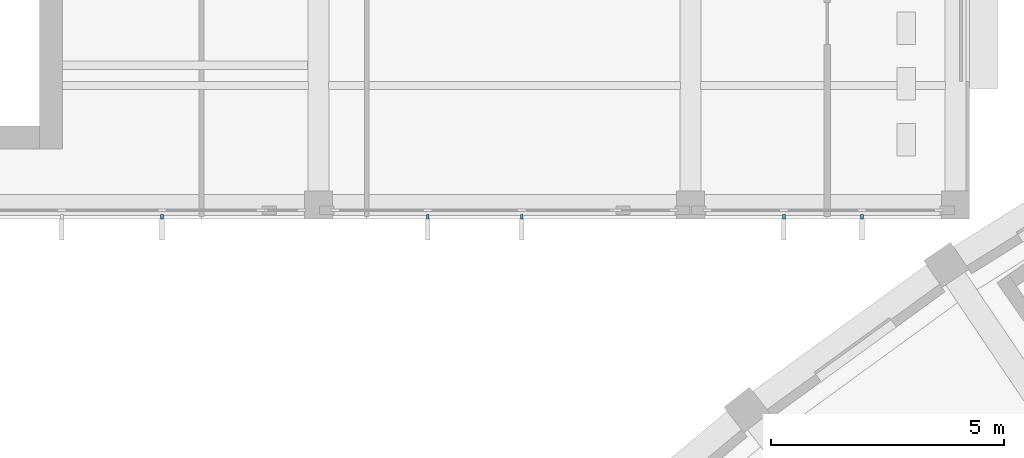
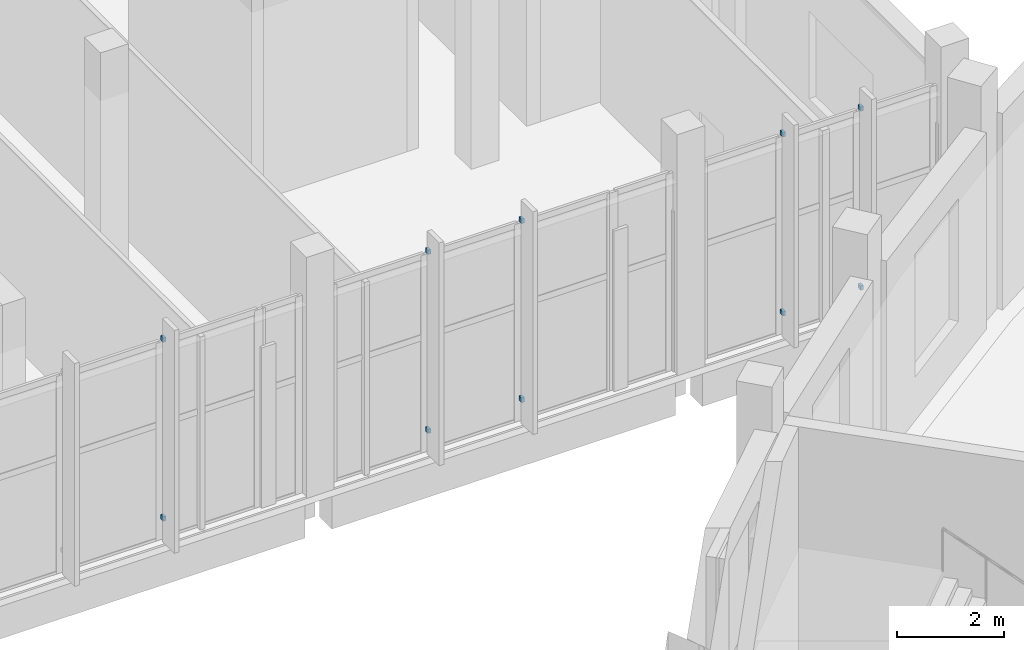
# One storey, part 71 of 112: 10 discrete accessories.
"""IFC4 building model written with IfcOpenShell, lengths in metres."""

import ifcopenshell
import ifcopenshell.guid

model = None  # the IFC model being written
_history = None  # IfcOwnerHistory: only IFC2X3 demands one
_inside = {}  # id of a spatial element -> (the spatial element, [elements in it])
_under = {}  # id of a project, library or spatial element -> (it, [spatial elements below it])
_declared = {}  # id of a project -> (the project, [libraries it declares])
_typed = {}  # id of a type object -> (the type object, [elements of that type])
_made_of = {}  # id of a material, layer set ... -> (it, [elements and type objects made of it])


def new_model(schema):
    """Start an empty IFC model of exactly this schema.

    Asked for "IFC4X3", IfcOpenShell would pick the latest addendum, in which some entities
    have other attributes; the version numbers below select the first issue.
    IFC2X3 requires an IfcOwnerHistory on every rooted entity: one is made here for all.
    """
    global model, _history
    if schema == "IFC4X3":
        model = ifcopenshell.file(schema_version=(4, 3, 0, 0))
    else:
        model = ifcopenshell.file(schema=schema)
    _inside.clear()
    _under.clear()
    _declared.clear()
    _typed.clear()
    _made_of.clear()
    _history = None
    if model.schema == "IFC2X3":
        org = make("IfcOrganization", Name="unknown")
        user = make(
            "IfcPersonAndOrganization",
            ThePerson=make("IfcPerson", FamilyName="unknown"),
            TheOrganization=org,
        )
        app = make(
            "IfcApplication",
            ApplicationDeveloper=org,
            Version="unknown",
            ApplicationFullName="unknown",
            ApplicationIdentifier="unknown",
        )
        _history = make(
            "IfcOwnerHistory",
            OwningUser=user,
            OwningApplication=app,
            ChangeAction="ADDED",
            CreationDate=0,
        )
    return model


def make(cls, **values):
    """One entity of the class cls with the attributes given. An attribute that is None is left unset."""
    return model.create_entity(
        cls, **{name: value for name, value in values.items() if value is not None}
    )


def rooted(cls, **values):
    """An entity with a GlobalId (a new one), such as an element, a storey or a relation."""
    return make(cls, GlobalId=ifcopenshell.guid.new(), OwnerHistory=_history, **values)


def si_unit(unit_type, name, prefix=None):
    """IfcSIUnit, for example si_unit("LENGTHUNIT", "METRE", prefix="MILLI")."""
    return make("IfcSIUnit", UnitType=unit_type, Prefix=prefix, Name=name)


def assignment(units):
    """IfcUnitAssignment: the units of a project."""
    return None if units is None else make("IfcUnitAssignment", Units=units)


def point(xyz):
    """IfcCartesianPoint."""
    return None if xyz is None else make("IfcCartesianPoint", Coordinates=xyz)


def direction(xyz):
    """IfcDirection."""
    return None if xyz is None else make("IfcDirection", DirectionRatios=xyz)


def frame(location, z_axis=None, x_axis=None):
    """IfcAxis2Placement3D, a coordinate frame: its origin and axes. An axis left out is left unset."""
    return make(
        "IfcAxis2Placement3D",
        Location=point(location),
        Axis=direction(z_axis),
        RefDirection=direction(x_axis),
    )


def frame_2d(location, x_axis=None):
    """IfcAxis2Placement2D, a coordinate frame in the plane: its origin and x axis."""
    return make(
        "IfcAxis2Placement2D", Location=point(location), RefDirection=direction(x_axis)
    )


def origin():
    """The frame at (0, 0, 0) with its axes left unset."""
    return frame((0.0, 0.0, 0.0))


def origin_2d():
    """The frame at (0, 0) in the plane with its x axis left unset."""
    return frame_2d((0.0, 0.0))


def place(relative_to, where):
    """IfcLocalPlacement: puts the frame where relative to a parent placement (None: the world)."""
    return make(
        "IfcLocalPlacement", PlacementRelTo=relative_to, RelativePlacement=where
    )


def context(
    kind, dimensions, precision=None, world=None, true_north=None, identifier=None
):
    """IfcGeometricRepresentationContext, for example the 3D "Model" context."""
    return make(
        "IfcGeometricRepresentationContext",
        ContextIdentifier=identifier,
        ContextType=kind,
        CoordinateSpaceDimension=dimensions,
        Precision=precision,
        WorldCoordinateSystem=world,
        TrueNorth=true_north,
    )


def subcontext(parent, identifier, kind, view, scale=None):
    """IfcGeometricRepresentationSubContext, for example "Body" below "Model"."""
    return make(
        "IfcGeometricRepresentationSubContext",
        ContextIdentifier=identifier,
        ContextType=kind,
        ParentContext=parent,
        TargetScale=scale,
        TargetView=view,
    )


def project(units=None, contexts=None):
    """IfcProject with its units and contexts."""
    return rooted(
        "IfcProject",
        Name="project",
        RepresentationContexts=contexts,
        UnitsInContext=assignment(units),
    )


def spatial(cls, under=None, at=None, **own):
    """A site, building, storey or space (cls), placed at a placement, below another one or the project."""
    s = rooted(cls, ObjectPlacement=at, **own)
    if under is not None:
        _under.setdefault(under.id(), (under, []))[1].append(s)
    return s


def profile(cls, at=None, kind="AREA", **sizes):
    """A parametric profile (cls). Its sizes go by their IFC names, for example OverallWidth=200.0."""
    return make(cls, ProfileType=kind, Position=at, **sizes)


def rectangle(**sizes):
    """IfcRectangleProfileDef."""
    return profile("IfcRectangleProfileDef", **sizes)


def extrude(swept, where, along, depth):
    """IfcExtrudedAreaSolid: the profile swept, set in the frame where, extruded along a direction by depth."""
    return make(
        "IfcExtrudedAreaSolid",
        SweptArea=swept,
        Position=where,
        ExtrudedDirection=direction(along),
        Depth=depth,
    )


def shape(context_of_items, identifier, shape_type, items):
    """IfcShapeRepresentation: the items that make up one representation, for example the "Body"."""
    return make(
        "IfcShapeRepresentation",
        ContextOfItems=context_of_items,
        RepresentationIdentifier=identifier,
        RepresentationType=shape_type,
        Items=items,
    )


def material(Name=None, Category=None):
    """IfcMaterial."""
    return make("IfcMaterial", Name=Name, Category=Category)


def made_of(thing, what):
    """Note that an element or type object is made of a material, layer set ...; save() writes the relation."""
    if what is not None:
        _made_of.setdefault(what.id(), (what, []))[1].append(thing)
    return thing


def type_object(cls, material=None, **own):
    """A type object (cls), such as IfcWallType, which elements share."""
    return made_of(rooted(cls, **own), material)


def element(
    cls,
    number,
    at=None,
    inside=None,
    cuts=None,
    type_object=None,
    material=None,
    context=None,
    identifier="Body",
    shape_type=None,
    held_by="IfcProductDefinitionShape",
    body=None,
    shapes=None,
    **own,
):
    """One element of the class cls, such as IfcWall. Its Tag is "e" and its number.

    at: its placement. inside: the storey or other place that contains it. cuts: it is an
    opening in that element (IfcRelVoidsElement). A single representation is given by context,
    identifier, shape_type and body (its items); several are given by shapes. held_by: the class
    of the entity that holds the representations. save() writes the other relations.
    """
    e = rooted(cls, Tag="e%d" % number, ObjectPlacement=at, **own)
    if body is not None:
        shapes = [shape(context, identifier, shape_type, body)]
    if shapes is not None:
        e.Representation = make(held_by, Representations=shapes)
    if inside is not None:
        _inside.setdefault(inside.id(), (inside, []))[1].append(e)
    if cuts is not None:
        rooted(
            "IfcRelVoidsElement", RelatingBuildingElement=cuts, RelatedOpeningElement=e
        )
    if type_object is not None:
        _typed.setdefault(type_object.id(), (type_object, []))[1].append(e)
    return made_of(e, material)


def aggregate(whole, parts):
    """IfcRelAggregates: a whole, such as a stair, and the parts it consists of."""
    return rooted("IfcRelAggregates", RelatingObject=whole, RelatedObjects=parts)


def save(model, path):
    """Write the relations noted so far, then the file.

    IfcRelAggregates (storeys below a building ...), IfcRelContainedInSpatialStructure (elements
    in a storey), IfcRelDefinesByType, IfcRelAssociatesMaterial and IfcRelDeclares: one each for
    every whole, place, type object, material and project.
    """
    for whole, parts in _under.values():
        aggregate(whole, parts)
    for where, things in _inside.values():
        rooted(
            "IfcRelContainedInSpatialStructure",
            RelatedElements=things,
            RelatingStructure=where,
        )
    for kind, things in _typed.values():
        rooted("IfcRelDefinesByType", RelatedObjects=things, RelatingType=kind)
    for what, things in _made_of.values():
        rooted("IfcRelAssociatesMaterial", RelatedObjects=things, RelatingMaterial=what)
    for by, libraries in _declared.values():
        rooted("IfcRelDeclares", RelatingContext=by, RelatedDefinitions=libraries)
    model.write(path)


model = new_model("IFC4")

# Units and contexts
model_context = context("Model", 3, precision=1e-05, world=origin(), true_north=direction((0.0, 1.0)))
body_context = subcontext(model_context, "Body", "Model", "MODEL_VIEW")
ifc_project = project(units=[si_unit("LENGTHUNIT", "METRE"), si_unit("AREAUNIT", "SQUARE_METRE"), si_unit("VOLUMEUNIT", "CUBIC_METRE"), si_unit("PLANEANGLEUNIT", "RADIAN"), si_unit("MASSUNIT", "GRAM", prefix="KILO")], contexts=[model_context])

# Site, building, storey
site_placement = place(None, origin())
site = spatial("IfcSite", under=ifc_project, at=site_placement, CompositionType="ELEMENT")
building_placement = place(site_placement, origin())
building = spatial("IfcBuilding", under=site, at=building_placement, Name="Lunette Opera House", CompositionType="ELEMENT")
storey_placement = place(building_placement, frame((0.0, 0.0, 6.0)))
storey = spatial("IfcBuildingStorey", under=building, at=storey_placement, Name="L01", CompositionType="ELEMENT", Elevation=6.0)

# Discrete accessories
ifc_material = material(Name="Galvanised steel", Category="steel")
discrete_accessory_type = type_object("IfcDiscreteAccessoryType", Name="FIN BRACKET STEEL", PredefinedType="BRACKET", material=ifc_material)
for number, where, z_axis, x_axis, name in (
    (1, (36.635009765625, 64.04296875, 0.56494140625), (0.0, 0.0, 1.0), (0.0, -1.0, 0.0), "Fin bracket RW-X2024 2 1"),
    (2, (36.635009765625, 64.04296875, 4.64990234375), (0.0, 0.0, 1.0), (0.0, -1.0, 0.0), "Fin bracket RW-X2024 2 2"),
    (3, (42.35107421875, 64.04296875, 0.56494140625), (0.0, 0.0, 1.0), (0.0, -1.0, 0.0), "Fin bracket RW-X2026 1 1"),
    (4, (42.35107421875, 64.04296875, 4.64990234375), (0.0, 0.0, 1.0), (0.0, -1.0, 0.0), "Fin bracket RW-X2026 1 2"),
    (5, (44.373046875, 64.04296875, 0.56494140625), (0.0, 0.0, 1.0), (0.0, -1.0, 0.0), "Fin bracket RW-X2026 2 1"),
    (6, (44.373046875, 64.04296875, 4.64990234375), (0.0, 0.0, 1.0), (0.0, -1.0, 0.0), "Fin bracket RW-X2026 2 2"),
    (7, (50.010009765625, 64.04296875, 0.56494140625), (0.0, 0.0, 1.0), (0.0, -1.0, 0.0), "Fin bracket RW-X2028 1 1"),
    (8, (50.010009765625, 64.04296875, 4.64990234375), (0.0, 0.0, 1.0), (0.0, -1.0, 0.0), "Fin bracket RW-X2028 1 2"),
    (9, (51.68994140625, 64.04296875, 0.56494140625), (0.0, 0.0, 1.0), (0.0, -1.0, 0.0), "Fin bracket RW-X2028 2 1"),
    (10, (51.68994140625, 64.04296875, 4.64990234375), (0.0, 0.0, 1.0), (0.0, -1.0, 0.0), "Fin bracket RW-X2028 2 2"),
):
    element("IfcDiscreteAccessory", number, at=place(storey_placement, frame(where, z_axis=z_axis, x_axis=x_axis)), inside=storey, type_object=discrete_accessory_type, Name=name, PredefinedType="BRACKET", context=body_context, shape_type="SweptSolid", body=[
        extrude(rectangle(XDim=0.10009765625, YDim=0.06005859375, at=origin_2d()), origin(), (0.0, 0.0, 1.0), 0.10009765625),
    ])

save(model, "model.ifc")
